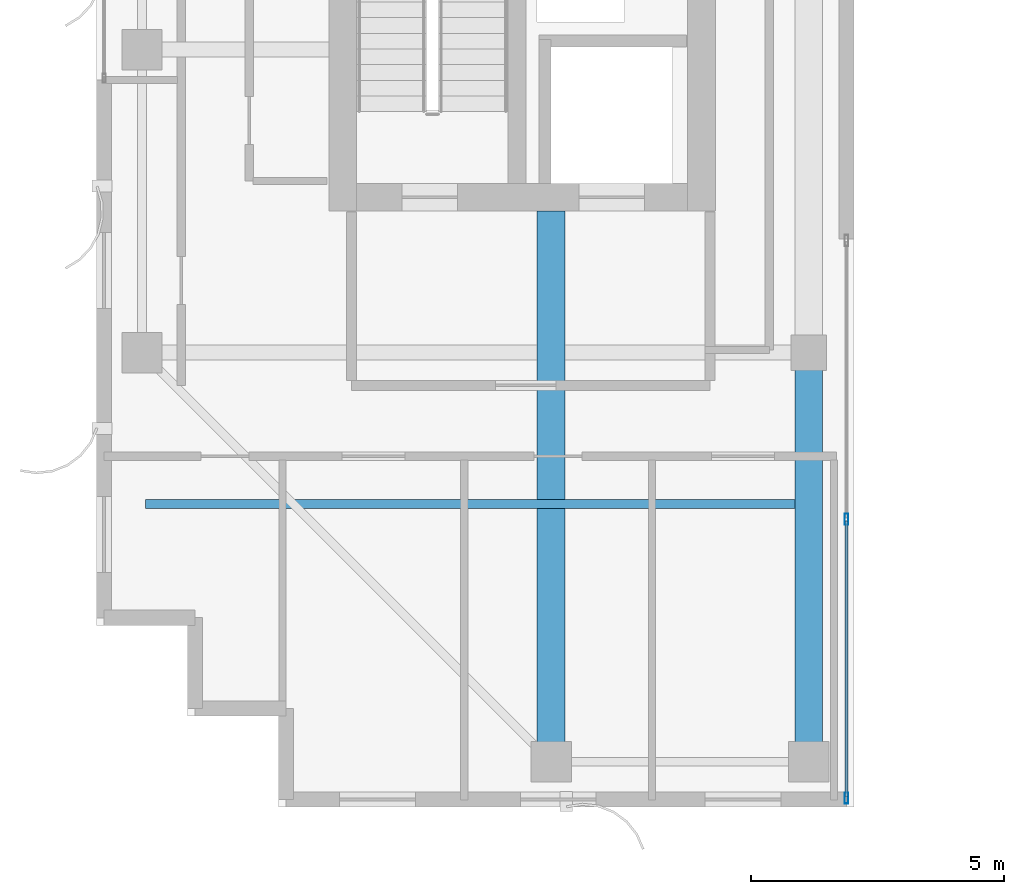
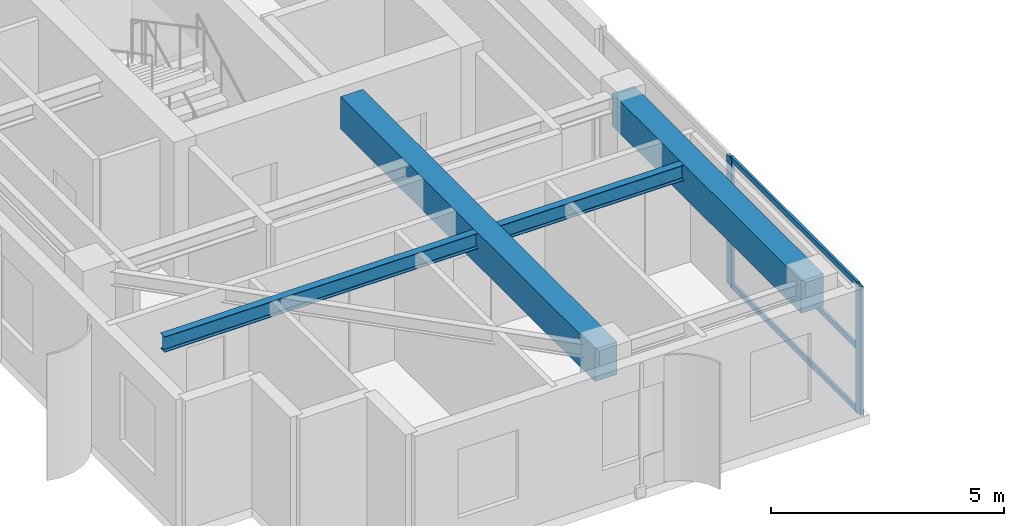
# One storey, part 2 of 24: 5 members, 3 beams, 1 element without a shape of its own.
"""IFC4 building model written with IfcOpenShell, lengths in metres."""

from ifc_helpers import new_model, si_unit, direction, frame, origin, origin_2d, place, context, subcontext, project, spatial, rectangle, hollow_rectangle, i_section, extrude, source, transform, mapped, material, layer, layer_set, material_profile, profile_set, type_object, element, aggregate, save


model = new_model("IFC4")

# Units and contexts
model_context = context("Model", 3, precision=1e-05, world=origin(), true_north=direction((0.0, 1.0)))
body_context = subcontext(model_context, "Body", "Model", "MODEL_VIEW")
ifc_project = project(units=[si_unit("LENGTHUNIT", "METRE"), si_unit("AREAUNIT", "SQUARE_METRE"), si_unit("VOLUMEUNIT", "CUBIC_METRE"), si_unit("PLANEANGLEUNIT", "RADIAN"), si_unit("MASSUNIT", "GRAM", prefix="KILO")], contexts=[model_context])

# Site, building, storey
site_placement = place(None, origin())
site = spatial("IfcSite", under=ifc_project, at=site_placement, CompositionType="ELEMENT")
building_placement = place(site_placement, origin())
building = spatial("IfcBuilding", under=site, at=building_placement, Name="Khoralis Quay Care Tower", CompositionType="ELEMENT")
storey_placement = place(building_placement, frame((0.0, 0.0, 249.300048828125)))
storey = spatial("IfcBuildingStorey", under=building, at=storey_placement, Name="L65", CompositionType="ELEMENT", Elevation=249.300048828125)

# Beams
ifc_material_1 = material(Name="Concrete C50/60", Category="concrete")
ifc_material_profile_1 = material_profile(ifc_material_1, rectangle(XDim=0.550048828125, YDim=0.85009765625, at=origin_2d()), Name="Concrete C50/60")
ifc_profile_set_1 = profile_set([ifc_material_profile_1], Name="Concrete C50/60")
beam_type_1 = type_object("IfcBeamType", Name="BM-RC550X850", PredefinedType="BEAM", material=ifc_profile_set_1)
shared_shape_1 = source(origin(), body_context, "Body", "SweptSolid", [
    extrude(rectangle(XDim=0.550048828125, YDim=0.85009765625, at=origin_2d()), origin(), (0.0, 0.0, 1.0), 10.902099609375),
])
beam_1_placement = place(storey_placement, frame((12.0, 3.89990234375, 2.93505859375), z_axis=(0.0, 1.0, 0.0), x_axis=(-1.0, 0.0, 0.0)))
element("IfcBeam", 1, at=beam_1_placement, inside=storey, type_object=beam_type_1, Name="BM-TGYS-L65-120", PredefinedType="BEAM", context=body_context, shape_type="MappedRepresentation", body=[
    mapped(shared_shape_1, transform((0.0, 0.0, 0.0), scale=1.0)),
])
shared_shape_2 = source(origin(), body_context, "Body", "SweptSolid", [
    extrude(rectangle(XDim=0.550048828125, YDim=0.85009765625, at=origin_2d()), origin(), (0.0, 0.0, 1.0), 8.10009765625),
])
beam_2_placement = place(storey_placement, frame((17.10009765625, 3.89990234375, 2.93505859375), z_axis=(0.0, 1.0, 0.0), x_axis=(-1.0, 0.0, 0.0)))
element("IfcBeam", 2, at=beam_2_placement, inside=storey, type_object=beam_type_1, Name="BM-TGYS-L65-171", PredefinedType="BEAM", context=body_context, shape_type="MappedRepresentation", body=[
    mapped(shared_shape_2, transform((0.0, 0.0, 0.0), scale=1.0)),
])
ifc_material_2 = material(Name="Steel S355", Category="steel")
ifc_material_profile_2 = material_profile(ifc_material_2, i_section(OverallWidth=0.177978515625, OverallDepth=0.406982421875, WebThickness=0.0078125, FlangeThickness=0.0126953125, FilletRadius=0.012939453125, at=origin_2d()), Name="Steel S355")
ifc_profile_set_2 = profile_set([ifc_material_profile_2], Name="Steel S355")
beam_type_2 = type_object("IfcBeamType", Name="BM-W410X60", PredefinedType="JOIST", material=ifc_profile_set_2)
shared_shape_3 = source(origin(), body_context, "Body", "SweptSolid", [
    extrude(i_section(OverallWidth=0.177978515625, OverallDepth=0.406982421875, WebThickness=0.0078125, FlangeThickness=0.0126953125, FilletRadius=0.012939453125, at=origin_2d()), origin(), (0.0, 0.0, 1.0), 12.865966796875),
])
beam_3_placement = place(storey_placement, frame((3.970947265625, 9.0, 3.156494140625), z_axis=(1.0, 0.0, 0.0), x_axis=(0.0, 1.0, 0.0)))
element("IfcBeam", 3, at=beam_3_placement, inside=storey, type_object=beam_type_2, Name="BM-TJS-L65-17", PredefinedType="JOIST", context=body_context, shape_type="MappedRepresentation", body=[
    mapped(shared_shape_3, transform((0.0, 0.0, 0.0), scale=1.0)),
])

# Curtain wall, members
ifc_material_3 = material(Name="Pale anodised aluminium", Category="aluminium")
ifc_layer = layer(ifc_material_3, 0.18994140625)
ifc_layer_set = layer_set([ifc_layer], Name="Pale anodised aluminium")
curtain_wall_type = type_object("IfcCurtainWallType", Name="CW-SYS-PORTAL", PredefinedType="NOTDEFINED", material=ifc_layer_set)
curtain_wall_placement = place(storey_placement, origin())
curtain_wall = element("IfcCurtainWall", 4, at=curtain_wall_placement, inside=storey, type_object=curtain_wall_type, Name="L65 Unitised Curtain Wall CW-VP-L65-P1-S", PredefinedType="NOTDEFINED")
ifc_material_profile_3 = material_profile(ifc_material_3, hollow_rectangle(XDim=0.06005859375, YDim=0.139892578125, WallThickness=0.00390625, at=origin_2d()), Name="Pale anodised aluminium")
ifc_profile_set_3 = profile_set([ifc_material_profile_3], Name="Pale anodised aluminium")
member_type_1 = type_object("IfcMemberType", Name="CW-TRN-140", PredefinedType="USERDEFINED", material=ifc_profile_set_3)
shared_shape_4 = source(origin(), body_context, "Body", "SweptSolid", [
    extrude(hollow_rectangle(XDim=0.06005859375, YDim=0.139892578125, WallThickness=0.00390625, at=origin_2d()), origin(), (0.0, 0.0, 1.0), 5.4599609375),
])
member_1_placement = place(storey_placement, frame((17.85009765625, 3.2099609375, 0.030029296875), z_axis=(0.0, 1.0, 0.0), x_axis=(-1.0, 0.0, 0.0)))
member_1 = element("IfcMember", 5, at=member_1_placement, type_object=member_type_1, Name="CW4 transom 1.1", ObjectType="TRANSOM", PredefinedType="USERDEFINED", context=body_context, shape_type="MappedRepresentation", body=[
    mapped(shared_shape_4, transform((0.0, 0.0, 0.0), scale=1.0)),
])
member_2_placement = place(storey_placement, frame((17.85009765625, 3.2099609375, 1.679931640625), z_axis=(0.0, 1.0, 0.0), x_axis=(-1.0, 0.0, 0.0)))
member_2 = element("IfcMember", 6, at=member_2_placement, type_object=member_type_1, Name="CW4 transom 1.2", ObjectType="TRANSOM", PredefinedType="USERDEFINED", context=body_context, shape_type="MappedRepresentation", body=[
    mapped(shared_shape_4, transform((0.0, 0.0, 0.0), scale=1.0)),
])
member_3_placement = place(storey_placement, frame((17.85009765625, 3.2099609375, 3.329833984375), z_axis=(0.0, 1.0, 0.0), x_axis=(-1.0, 0.0, 0.0)))
member_3 = element("IfcMember", 7, at=member_3_placement, type_object=member_type_1, Name="CW4 transom 1.3", ObjectType="TRANSOM", PredefinedType="USERDEFINED", context=body_context, shape_type="MappedRepresentation", body=[
    mapped(shared_shape_4, transform((0.0, 0.0, 0.0), scale=1.0)),
])
ifc_material_profile_4 = material_profile(ifc_material_3, hollow_rectangle(XDim=0.074951171875, YDim=0.219970703125, WallThickness=0.00390625, at=origin_2d()), Name="Pale anodised aluminium")
ifc_profile_set_4 = profile_set([ifc_material_profile_4], Name="Pale anodised aluminium")
member_type_2 = type_object("IfcMemberType", Name="CW-MUL-220", PredefinedType="MULLION", material=ifc_profile_set_4)
shared_shape_5 = source(origin(), body_context, "Body", "SweptSolid", [
    extrude(hollow_rectangle(XDim=0.074951171875, YDim=0.219970703125, WallThickness=0.00390625, at=origin_2d()), origin(), (0.0, 0.0, 1.0), 3.35986328125),
])
member_4_placement = place(storey_placement, frame((17.85009765625, 3.179931640625, 0.0), z_axis=(0.0, 0.0, 1.0), x_axis=(-1.0, 0.0, 0.0)))
member_4 = element("IfcMember", 8, at=member_4_placement, type_object=member_type_2, Name="CW4 mullion 1", PredefinedType="MULLION", context=body_context, shape_type="MappedRepresentation", body=[
    mapped(shared_shape_5, transform((0.0, 0.0, 0.0), scale=1.0)),
])
member_5_placement = place(storey_placement, frame((17.85009765625, 8.699951171875, 0.0), z_axis=(0.0, 0.0, 1.0), x_axis=(-1.0, 0.0, 0.0)))
member_5 = element("IfcMember", 9, at=member_5_placement, type_object=member_type_2, Name="CW4 mullion 2", PredefinedType="MULLION", context=body_context, shape_type="MappedRepresentation", body=[
    mapped(shared_shape_5, transform((0.0, 0.0, 0.0), scale=1.0)),
])
aggregate(curtain_wall, [member_4, member_5, member_1, member_2, member_3])

save(model, "model.ifc")
